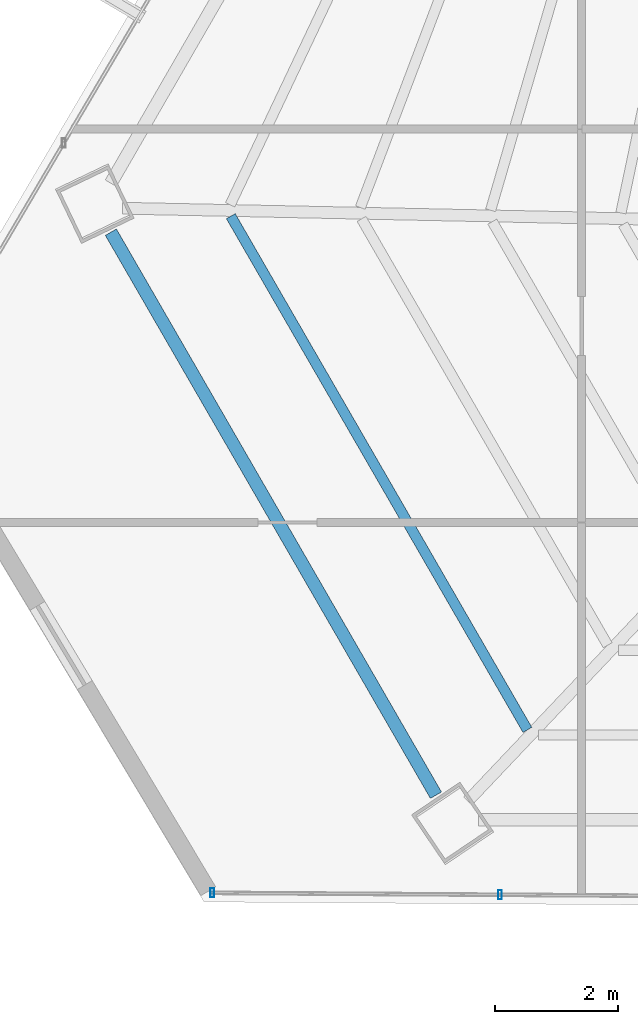
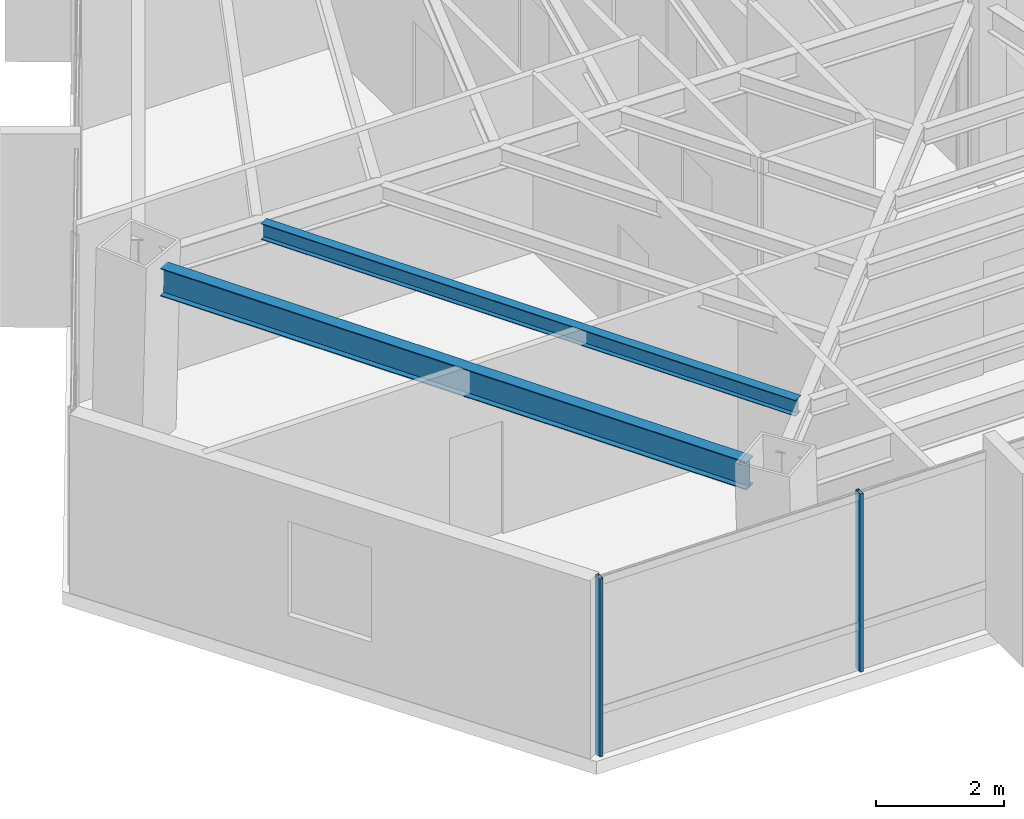
# One storey, part 2 of 41: 2 beams, 2 members, 1 element without a shape of its own.
"""IFC4 building model written with IfcOpenShell, lengths in metres."""

from ifc_helpers import new_model, si_unit, direction, frame, origin, origin_2d, place, context, subcontext, project, spatial, hollow_rectangle, i_section, extrude, source, transform, mapped, material, material_profile, profile_set, type_object, type_shapes, element, aggregate, save


model = new_model("IFC4")

# Units and contexts
model_context = context("Model", 3, precision=1e-05, world=origin(), true_north=direction((0.0, 1.0)))
body_context = subcontext(model_context, "Body", "Model", "MODEL_VIEW")
ifc_project = project(units=[si_unit("LENGTHUNIT", "METRE"), si_unit("AREAUNIT", "SQUARE_METRE"), si_unit("VOLUMEUNIT", "CUBIC_METRE"), si_unit("PLANEANGLEUNIT", "RADIAN"), si_unit("MASSUNIT", "GRAM", prefix="KILO")], contexts=[model_context])

# Site, building, storey
site_placement = place(None, origin())
site = spatial("IfcSite", under=ifc_project, at=site_placement, CompositionType="ELEMENT")
building_placement = place(site_placement, origin())
building = spatial("IfcBuilding", under=site, at=building_placement, Name="Caelisora Broadcast Tower", CompositionType="ELEMENT")
storey_placement = place(building_placement, frame((0.0, 0.0, 173.10009765625)))
storey = spatial("IfcBuildingStorey", under=building, at=storey_placement, Name="L45", CompositionType="ELEMENT", Elevation=173.10009765625)

# Beams
ifc_material_1 = material(Name="Steel Grade 350 (AS/NZS 3679.1)", Category="steel")
ifc_material_profile_1 = material_profile(ifc_material_1, i_section(OverallWidth=0.208984375, OverallDepth=0.532958984375, WebThickness=0.01025390625, FlangeThickness=0.015625, at=origin_2d()), Name="Steel Grade 350 (AS/NZS 3679.1)")
ifc_profile_set_1 = profile_set([ifc_material_profile_1], Name="Steel Grade 350 (AS/NZS 3679.1)")
beam_type_1 = type_object("IfcBeamType", Name="PG05", PredefinedType="BEAM", material=ifc_profile_set_1)
shared_shape_1 = source(origin(), body_context, "Body", "SweptSolid", [
    extrude(i_section(OverallWidth=0.208984375, OverallDepth=0.532958984375, WebThickness=0.01025390625, FlangeThickness=0.015625, at=origin_2d()), origin(), (0.0, 0.0, 1.0), 10.577392578125),
])
type_shapes(beam_type_1, [shared_shape_1])
beam_1_placement = place(storey_placement, frame((15.840087890625, 17.312744140625, 3.13330078125), z_axis=(0.500014158692, -0.866017229106, 0.0), x_axis=(0.866017229106, 0.500014158692, 0.0)))
element("IfcBeam", 1, at=beam_1_placement, inside=storey, type_object=beam_type_1, Name="L45 beam PG05", PredefinedType="BEAM", context=body_context, shape_type="MappedRepresentation", body=[
    mapped(shared_shape_1, transform((0.0, 0.0, 0.0), scale=1.0)),
])
ifc_material_profile_2 = material_profile(ifc_material_1, i_section(OverallWidth=0.166015625, OverallDepth=0.30712890625, WebThickness=0.006591796875, FlangeThickness=0.01171875, at=origin_2d()), Name="Steel Grade 350 (AS/NZS 3679.1)")
ifc_profile_set_2 = profile_set([ifc_material_profile_2], Name="Steel Grade 350 (AS/NZS 3679.1)")
beam_type_2 = type_object("IfcBeamType", Name="SB03", PredefinedType="JOIST", material=ifc_profile_set_2)
shared_shape_2 = source(origin(), body_context, "Body", "SweptSolid", [
    extrude(i_section(OverallWidth=0.166015625, OverallDepth=0.30712890625, WebThickness=0.006591796875, FlangeThickness=0.01171875, at=origin_2d()), origin(), (0.0, 0.0, 1.0), 9.64990234375),
])
type_shapes(beam_type_2, [shared_shape_2])
beam_2_placement = place(storey_placement, frame((17.79150390625, 17.57275390625, 3.246337890625), z_axis=(0.50000569793, -0.866022114058, 0.0), x_axis=(0.866022114058, 0.50000569793, 0.0)))
element("IfcBeam", 2, at=beam_2_placement, inside=storey, type_object=beam_type_2, Name="L45 beam SB03", PredefinedType="JOIST", context=body_context, shape_type="MappedRepresentation", body=[
    mapped(shared_shape_2, transform((0.0, 0.0, 0.0), scale=1.0)),
])

# Curtain wall, members
ifc_material_2 = material(Name="Unitised Aluminium and Low-E Glass Curtain Wall", Category="glass")
curtain_wall_type = type_object("IfcCurtainWallType", Name="CW-Z3", PredefinedType="NOTDEFINED", material=ifc_material_2)
curtain_wall_placement = place(storey_placement, origin())
curtain_wall = element("IfcCurtainWall", 3, at=curtain_wall_placement, inside=storey, type_object=curtain_wall_type, Name="L45 curtain wall CW-Z3", PredefinedType="NOTDEFINED")
ifc_material_3 = material(Name="Aluminium 6063-T6 Anodised Terracotta Bronze", Category="aluminium")
ifc_material_profile_3 = material_profile(ifc_material_3, hollow_rectangle(XDim=0.06005859375, YDim=0.14990234375, WallThickness=0.00341796875, at=origin_2d()), Name="Aluminium 6063-T6 Anodised Terracotta Bronze")
ifc_profile_set_3 = profile_set([ifc_material_profile_3], Name="Aluminium 6063-T6 Anodised Terracotta Bronze")
member_type = type_object("IfcMemberType", Name="CWM-03", PredefinedType="MULLION", material=ifc_profile_set_3)
shared_shape_3 = source(origin(), body_context, "Body", "SweptSolid", [
    extrude(hollow_rectangle(XDim=0.06005859375, YDim=0.14990234375, WallThickness=0.00341796875, at=origin_2d()), origin(), (0.0, 0.0, 1.0), 3.39990234375),
])
type_shapes(member_type, [shared_shape_3])
member_1_placement = place(storey_placement, frame((22.17041015625, 6.53369140625, 0.0), z_axis=(0.0, 0.0, 1.0), x_axis=(1.0, 0.0, 0.0)))
member_1 = element("IfcMember", 4, at=member_1_placement, type_object=member_type, Name="L45-CW-B07 mullion #2", PredefinedType="MULLION", context=body_context, shape_type="MappedRepresentation", body=[
    mapped(shared_shape_3, transform((0.0, 0.0, 0.0), scale=1.0)),
])
member_2_placement = place(storey_placement, frame((17.489990234375, 6.564697265625, 0.0), z_axis=(0.0, 0.0, 1.0), x_axis=(1.0, 0.0, 0.0)))
member_2 = element("IfcMember", 5, at=member_2_placement, type_object=member_type, Name="L45-CW-B07 mullion #3", PredefinedType="MULLION", context=body_context, shape_type="MappedRepresentation", body=[
    mapped(shared_shape_3, transform((0.0, 0.0, 0.0), scale=1.0)),
])
aggregate(curtain_wall, [member_1, member_2])

save(model, "model.ifc")
